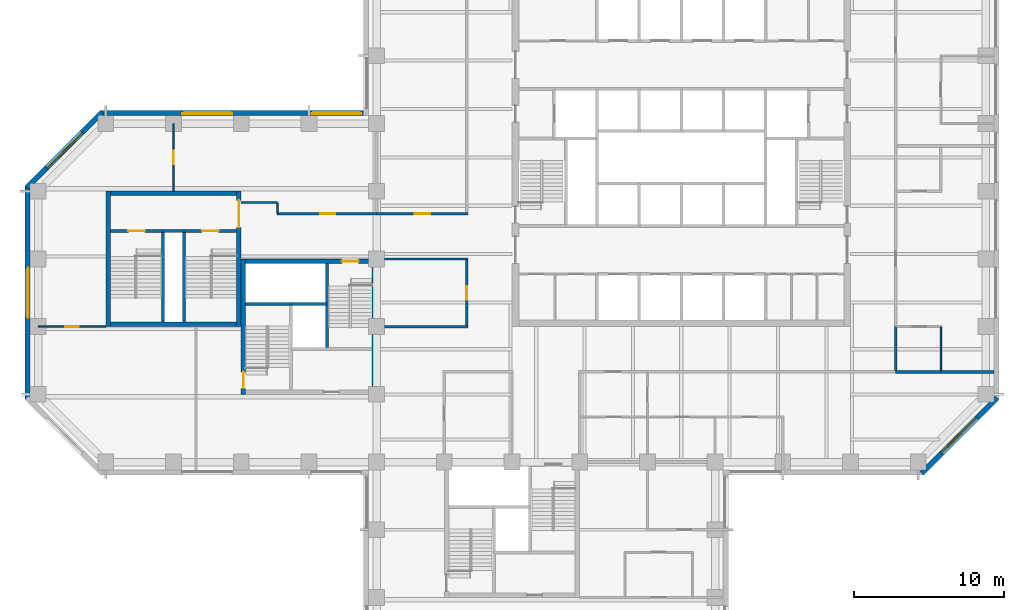
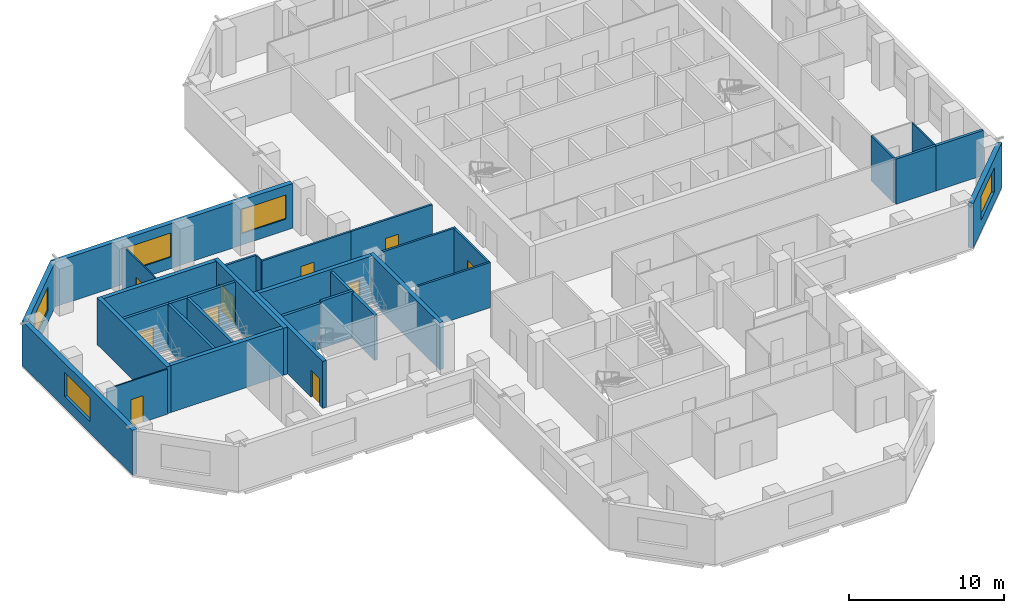
# One storey, part 5 of 11: 32 walls, 10 doors, 5 windows, 15 openings.
"""IFC4 building model written with IfcOpenShell, lengths in metres."""

from ifc_helpers import new_model, si_unit, direction, frame, frame_2d, origin, place, context, subcontext, project, spatial, rectangle, extrude, material, layer, layer_set, constituent, constituent_set, type_object, element, fill, save


model = new_model("IFC4")

# Units and contexts
model_context = context("Model", 3, precision=1e-05, world=origin(), true_north=direction((0.0, 1.0)))
body_context = subcontext(model_context, "Body", "Model", "MODEL_VIEW")
ifc_project = project(units=[si_unit("LENGTHUNIT", "METRE"), si_unit("AREAUNIT", "SQUARE_METRE"), si_unit("VOLUMEUNIT", "CUBIC_METRE"), si_unit("PLANEANGLEUNIT", "RADIAN"), si_unit("MASSUNIT", "GRAM", prefix="KILO")], contexts=[model_context])

# Site, building, storey
site_placement = place(None, origin())
site = spatial("IfcSite", under=ifc_project, at=site_placement, CompositionType="ELEMENT")
building_placement = place(site_placement, origin())
building = spatial("IfcBuilding", under=site, at=building_placement, Name="Quoin Convention Tower", CompositionType="ELEMENT")
storey_placement = place(building_placement, frame((0.0, 0.0, 93.699951171875)))
storey = spatial("IfcBuildingStorey", under=building, at=storey_placement, Name="L24", CompositionType="ELEMENT", Elevation=93.699951171875)

# Wall, opening, window
ifc_material_1 = material(Name="Brick masonry", Category="masonry")
ifc_layer_1 = layer(ifc_material_1, 0.35009765625)
ifc_layer_set_1 = layer_set([ifc_layer_1], Name="Brick masonry")
wall_type_1 = type_object("IfcWallType", Name="Brick facade wall", PredefinedType="STANDARD", material=ifc_layer_set_1)
wall_1_placement = place(storey_placement, frame((72.23876953125, 39.748779296875, 0.0), z_axis=(0.0, 0.0, 1.0), x_axis=(0.707106781187, 0.707106781187, 0.0)))
wall_1 = element("IfcWall", 1, at=wall_1_placement, inside=storey, type_object=wall_type_1, Name="fw-L24-72000_40500", PredefinedType="STANDARD", context=body_context, shape_type="SweptSolid", body=[
    extrude(rectangle(XDim=7.088623046875, YDim=0.35009765625, at=frame_2d((3.54443359375, 0.0))), origin(), (0.0, 0.0, 1.0), 3.525146484375),
])
opening_1_placement = place(wall_1_placement, frame((1.894287109375, 0.0, 0.89990234375)))
opening_1 = element("IfcOpeningElement", 2, at=opening_1_placement, cuts=wall_1, Name="Opening W-02", PredefinedType="OPENING", context=body_context, shape_type="SweptSolid", body=[
    extrude(rectangle(XDim=3.300048828125, YDim=1.89990234375, at=frame_2d((1.64990234375, 0.949951171875))), frame((0.0, 0.18505859375, 0.0), z_axis=(0.0, -1.0, 0.0), x_axis=(1.0, 0.0, 0.0)), (0.0, 0.0, 1.0), 0.3701171875),
])
ifc_material_2 = material(Name="Aluminium", Category="aluminium")
ifc_constituent_1 = constituent(ifc_material_2, Name="Frame")
ifc_material_3 = material(Name="Insulated glass", Category="glass")
ifc_constituent_2 = constituent(ifc_material_3, Name="Glazing")
ifc_constituent_set = constituent_set(constituents=[ifc_constituent_1, ifc_constituent_2], Name="Aluminium")
window_type = type_object("IfcWindowType", Name="Office window", PartitioningType="DOUBLE_PANEL_VERTICAL", PredefinedType="WINDOW", material=ifc_constituent_set)
window_1_placement = place(opening_1_placement, origin())
window_1 = element("IfcWindow", 3, at=window_1_placement, inside=storey, type_object=window_type, Name="win-L24-74745_42255", OverallHeight=1.89990234375, OverallWidth=3.300048828125, PartitioningType="SINGLE_PANEL", PredefinedType="WINDOW", context=body_context, shape_type="SweptSolid", body=[
    extrude(rectangle(XDim=3.300048828125, YDim=1.89990234375, at=frame_2d((1.64990234375, 0.949951171875))), frame((0.0, 0.0849609375, 0.0), z_axis=(0.0, -1.0, 0.0), x_axis=(1.0, 0.0, 0.0)), (0.0, 0.0, 1.0), 0.06005859375),
])
fill(opening_1, window_1)

# Wall, openings, windows
wall_2_placement = place(storey_placement, frame((35.47509765625, 63.699951171875, 0.0), z_axis=(0.0, 0.0, 1.0), x_axis=(-1.0, 0.0, 0.0)))
wall_2 = element("IfcWall", 4, at=wall_2_placement, inside=storey, type_object=wall_type_1, Name="fw-L24-36000_63000", PredefinedType="STANDARD", context=body_context, shape_type="SweptSolid", body=[
    extrude(rectangle(XDim=17.83740234375, YDim=0.35009765625, at=frame_2d((8.918701171875, 0.0))), origin(), (0.0, 0.0, 1.0), 3.525146484375),
])
opening_2_placement = place(wall_2_placement, frame((0.5, 0.0, 0.89990234375)))
opening_2 = element("IfcOpeningElement", 5, at=opening_2_placement, cuts=wall_2, Name="Opening W-02", PredefinedType="OPENING", context=body_context, shape_type="SweptSolid", body=[
    extrude(rectangle(XDim=3.300048828125, YDim=1.89990234375, at=frame_2d((1.64990234375, 0.949951171875))), frame((0.0, 0.18505859375, 0.0), z_axis=(0.0, -1.0, 0.0), x_axis=(1.0, 0.0, 0.0)), (0.0, 0.0, 1.0), 0.3701171875),
])
opening_3_placement = place(wall_2_placement, frame((9.074951171875, 0.0, 0.89990234375)))
opening_3 = element("IfcOpeningElement", 6, at=opening_3_placement, cuts=wall_2, Name="Opening W-02", PredefinedType="OPENING", context=body_context, shape_type="SweptSolid", body=[
    extrude(rectangle(XDim=3.300048828125, YDim=1.89990234375, at=frame_2d((1.64990234375, 0.949951171875))), frame((0.0, 0.18505859375, 0.0), z_axis=(0.0, -1.0, 0.0), x_axis=(1.0, 0.0, 0.0)), (0.0, 0.0, 1.0), 0.3701171875),
])
window_2_placement = place(opening_2_placement, origin())
window_2 = element("IfcWindow", 7, at=window_2_placement, inside=storey, type_object=window_type, Name="win-L24-33750_63700", OverallHeight=1.89990234375, OverallWidth=3.300048828125, PartitioningType="SINGLE_PANEL", PredefinedType="WINDOW", context=body_context, shape_type="SweptSolid", body=[
    extrude(rectangle(XDim=3.300048828125, YDim=1.89990234375, at=frame_2d((1.64990234375, 0.949951171875))), frame((0.0, 0.0849609375, 0.0), z_axis=(0.0, -1.0, 0.0), x_axis=(1.0, 0.0, 0.0)), (0.0, 0.0, 1.0), 0.06005859375),
])
fill(opening_2, window_2)
window_3_placement = place(opening_3_placement, origin())
window_3 = element("IfcWindow", 8, at=window_3_placement, inside=storey, type_object=window_type, Name="win-L24-24750_63700", OverallHeight=1.89990234375, OverallWidth=3.300048828125, PartitioningType="SINGLE_PANEL", PredefinedType="WINDOW", context=body_context, shape_type="SweptSolid", body=[
    extrude(rectangle(XDim=3.300048828125, YDim=1.89990234375, at=frame_2d((1.64990234375, 0.949951171875))), frame((0.0, 0.0849609375, 0.0), z_axis=(0.0, -1.0, 0.0), x_axis=(1.0, 0.0, 0.0)), (0.0, 0.0, 1.0), 0.06005859375),
])
fill(opening_3, window_3)

# Wall, opening, window
wall_3_placement = place(storey_placement, frame((17.76123046875, 63.751220703125, 0.0), z_axis=(0.0, 0.0, 1.0), x_axis=(-0.707106781187, -0.707106781187, 0.0)))
wall_3 = element("IfcWall", 9, at=wall_3_placement, inside=storey, type_object=wall_type_1, Name="fw-L24-18000_63000", PredefinedType="STANDARD", context=body_context, shape_type="SweptSolid", body=[
    extrude(rectangle(XDim=7.088623046875, YDim=0.35009765625, at=frame_2d((3.54443359375, 0.0))), origin(), (0.0, 0.0, 1.0), 3.525146484375),
])
opening_4_placement = place(wall_3_placement, frame((1.894287109375, 0.0, 0.89990234375)))
opening_4 = element("IfcOpeningElement", 10, at=opening_4_placement, cuts=wall_3, Name="Opening W-02", PredefinedType="OPENING", context=body_context, shape_type="SweptSolid", body=[
    extrude(rectangle(XDim=3.300048828125, YDim=1.89990234375, at=frame_2d((1.64990234375, 0.949951171875))), frame((0.0, 0.18505859375, 0.0), z_axis=(0.0, -1.0, 0.0), x_axis=(1.0, 0.0, 0.0)), (0.0, 0.0, 1.0), 0.3701171875),
])
window_4_placement = place(opening_4_placement, origin())
window_4 = element("IfcWindow", 11, at=window_4_placement, inside=storey, type_object=window_type, Name="win-L24-15255_61245", OverallHeight=1.89990234375, OverallWidth=3.300048828125, PartitioningType="SINGLE_PANEL", PredefinedType="WINDOW", context=body_context, shape_type="SweptSolid", body=[
    extrude(rectangle(XDim=3.300048828125, YDim=1.89990234375, at=frame_2d((1.64990234375, 0.949951171875))), frame((0.0, 0.0849609375, 0.0), z_axis=(0.0, -1.0, 0.0), x_axis=(1.0, 0.0, 0.0)), (0.0, 0.0, 1.0), 0.06005859375),
])
fill(opening_4, window_4)

wall_4_placement = place(storey_placement, frame((12.800048828125, 58.8623046875, 0.0), z_axis=(0.0, 0.0, 1.0), x_axis=(0.0, -1.0, 0.0)))
wall_4 = element("IfcWall", 12, at=wall_4_placement, inside=storey, type_object=wall_type_1, Name="fw-L24-13500_58500", PredefinedType="STANDARD", context=body_context, shape_type="SweptSolid", body=[
    extrude(rectangle(XDim=14.224609375, YDim=0.35009765625, at=frame_2d((7.1123046875, 0.0))), origin(), (0.0, 0.0, 1.0), 3.525146484375),
])
opening_5_placement = place(wall_4_placement, frame((5.46240234375, 0.0, 0.89990234375)))
opening_5 = element("IfcOpeningElement", 13, at=opening_5_placement, cuts=wall_4, Name="Opening W-02", PredefinedType="OPENING", context=body_context, shape_type="SweptSolid", body=[
    extrude(rectangle(XDim=3.300048828125, YDim=1.89990234375, at=frame_2d((1.64990234375, 0.949951171875))), frame((0.0, 0.18505859375, 0.0), z_axis=(0.0, -1.0, 0.0), x_axis=(1.0, 0.0, 0.0)), (0.0, 0.0, 1.0), 0.3701171875),
])
window_5_placement = place(opening_5_placement, origin())
window_5 = element("IfcWindow", 14, at=window_5_placement, inside=storey, type_object=window_type, Name="win-L24-12800_51750", OverallHeight=1.89990234375, OverallWidth=3.300048828125, PartitioningType="SINGLE_PANEL", PredefinedType="WINDOW", context=body_context, shape_type="SweptSolid", body=[
    extrude(rectangle(XDim=3.300048828125, YDim=1.89990234375, at=frame_2d((1.64990234375, 0.949951171875))), frame((0.0, 0.0849609375, 0.0), z_axis=(0.0, -1.0, 0.0), x_axis=(1.0, 0.0, 0.0)), (0.0, 0.0, 1.0), 0.06005859375),
])
fill(opening_5, window_5)

# Walls
ifc_material_4 = material(Name="Concrete C50", Category="concrete")
ifc_layer_2 = layer(ifc_material_4, 0.199951171875)
ifc_layer_set_2 = layer_set([ifc_layer_2], Name="Concrete C50")
wall_type_2 = type_object("IfcWallType", Name="Core shaft wall", PredefinedType="SOLIDWALL", material=ifc_layer_set_2)
wall_5_placement = place(storey_placement, frame((27.300048828125, 51.0, 0.0), z_axis=(0.0, 0.0, 1.0), x_axis=(1.0, 0.0, 0.0)))
element("IfcWall", 15, at=wall_5_placement, inside=storey, type_object=wall_type_2, Name="cr-P2-L24-h6000_300", PredefinedType="SOLIDWALL", context=body_context, shape_type="SweptSolid", body=[
    extrude(rectangle(XDim=3.0, YDim=0.199951171875, at=frame_2d((1.5, 0.0))), origin(), (0.0, 0.0, 1.0), 3.550048828125),
])
wall_6_placement = place(storey_placement, frame((32.699951171875, 48.0, 0.0), z_axis=(0.0, 0.0, 1.0), x_axis=(0.0, 1.0, 0.0)))
element("IfcWall", 16, at=wall_6_placement, inside=storey, type_object=wall_type_2, Name="cr-P2-L24-v5700_3000", PredefinedType="SOLIDWALL", context=body_context, shape_type="SweptSolid", body=[
    extrude(rectangle(XDim=5.699951171875, YDim=0.199951171875, at=frame_2d((2.85009765625, 0.0))), origin(), (0.0, 0.0, 1.0), 3.550048828125),
])
wall_7_placement = place(storey_placement, frame((21.800048828125, 55.85009765625, 0.0), z_axis=(0.0, 0.0, 1.0), x_axis=(1.0, 0.0, 0.0)))
element("IfcWall", 17, at=wall_7_placement, inside=storey, type_object=wall_type_2, Name="cr-P6-L24-h6350_3800", PredefinedType="SOLIDWALL", context=body_context, shape_type="SweptSolid", body=[
    extrude(rectangle(XDim=1.39990234375, YDim=0.199951171875, at=frame_2d((0.699951171875, 0.0))), origin(), (0.0, 0.0, 1.0), 3.550048828125),
])

# Wall, opening, door
wall_8_placement = place(storey_placement, frame((18.300048828125, 55.85009765625, 0.0), z_axis=(0.0, 0.0, 1.0), x_axis=(1.0, 0.0, 0.0)))
wall_8 = element("IfcWall", 18, at=wall_8_placement, inside=storey, type_object=wall_type_2, Name="cr-P6-L24-h6350_300", PredefinedType="SOLIDWALL", context=body_context, shape_type="SweptSolid", body=[
    extrude(rectangle(XDim=3.5, YDim=0.199951171875, at=frame_2d((1.75, 0.0))), origin(), (0.0, 0.0, 1.0), 3.550048828125),
])
opening_6_placement = place(wall_8_placement, frame((1.199951171875, 0.0, 0.0)))
opening_6 = element("IfcOpeningElement", 19, at=opening_6_placement, cuts=wall_8, Name="Opening SD11", PredefinedType="OPENING", context=body_context, shape_type="SweptSolid", body=[
    extrude(rectangle(XDim=1.10009765625, YDim=2.10009765625, at=frame_2d((0.550048828125, 1.050048828125))), frame((0.0, 0.10986328125, 0.0), z_axis=(0.0, -1.0, 0.0), x_axis=(1.0, 0.0, 0.0)), (0.0, 0.0, 1.0), 0.219970703125),
])
ifc_material_5 = material(Name="Steel door leaf", Category="steel")
door_type_1 = type_object("IfcDoorType", Name="Stair door 1100 x 2100", OperationType="SINGLE_SWING_RIGHT", PredefinedType="DOOR", material=ifc_material_5)
door_1_placement = place(opening_6_placement, origin())
door_1 = element("IfcDoor", 20, at=door_1_placement, inside=storey, type_object=door_type_1, Name="cd-P6-L24-SA-R2-SD11", OperationType="SINGLE_SWING_RIGHT", OverallHeight=2.10009765625, OverallWidth=1.10009765625, PredefinedType="DOOR", context=body_context, shape_type="SweptSolid", body=[
    extrude(rectangle(XDim=1.10009765625, YDim=2.10009765625, at=frame_2d((0.550048828125, 1.050048828125))), frame((0.0, 0.02490234375, 0.0), z_axis=(0.0, -1.0, 0.0), x_axis=(1.0, 0.0, 0.0)), (0.0, 0.0, 1.0), 0.050048828125),
])
fill(opening_6, door_1)

wall_9_placement = place(storey_placement, frame((23.199951171875, 55.85009765625, 0.0), z_axis=(0.0, 0.0, 1.0), x_axis=(1.0, 0.0, 0.0)))
wall_9 = element("IfcWall", 21, at=wall_9_placement, inside=storey, type_object=wall_type_2, Name="cr-P6-L24-h6350_5200", PredefinedType="SOLIDWALL", context=body_context, shape_type="SweptSolid", body=[
    extrude(rectangle(XDim=3.5, YDim=0.199951171875, at=frame_2d((1.75, 0.0))), origin(), (0.0, 0.0, 1.0), 3.550048828125),
])
opening_7_placement = place(wall_9_placement, frame((1.199951171875, 0.0, 0.0)))
opening_7 = element("IfcOpeningElement", 22, at=opening_7_placement, cuts=wall_9, Name="Opening SD12", PredefinedType="OPENING", context=body_context, shape_type="SweptSolid", body=[
    extrude(rectangle(XDim=1.10009765625, YDim=2.10009765625, at=frame_2d((0.550048828125, 1.050048828125))), frame((0.0, 0.10986328125, 0.0), z_axis=(0.0, -1.0, 0.0), x_axis=(1.0, 0.0, 0.0)), (0.0, 0.0, 1.0), 0.219970703125),
])
door_2_placement = place(opening_7_placement, origin())
door_2 = element("IfcDoor", 23, at=door_2_placement, inside=storey, type_object=door_type_1, Name="cd-P6-L24-SB-R2-SD12", OperationType="SINGLE_SWING_RIGHT", OverallHeight=2.10009765625, OverallWidth=1.10009765625, PredefinedType="DOOR", context=body_context, shape_type="SweptSolid", body=[
    extrude(rectangle(XDim=1.10009765625, YDim=2.10009765625, at=frame_2d((0.550048828125, 1.050048828125))), frame((0.0, 0.02490234375, 0.0), z_axis=(0.0, -1.0, 0.0), x_axis=(1.0, 0.0, 0.0)), (0.0, 0.0, 1.0), 0.050048828125),
])
fill(opening_7, door_2)

# Walls
for number, where, z_axis, x_axis, name in (
    (24, (21.800048828125, 49.800048828125, 0.0), (0.0, 0.0, 1.0), (0.0, 1.0, 0.0), "cr-P6-L24-v3800_300"),
    (25, (23.199951171875, 49.800048828125, 0.0), (0.0, 0.0, 1.0), (0.0, 1.0, 0.0), "cr-P6-L24-v5200_300"),
):
    element("IfcWall", number, at=place(storey_placement, frame(where, z_axis=z_axis, x_axis=x_axis)), inside=storey, type_object=wall_type_2, Name=name, PredefinedType="SOLIDWALL", context=body_context, shape_type="SweptSolid", body=[
        extrude(rectangle(XDim=6.050048828125, YDim=0.199951171875, at=frame_2d((3.02490234375, 0.0))), origin(), (0.0, 0.0, 1.0), 3.550048828125),
    ])
ifc_layer_3 = layer(ifc_material_4, 0.199951171875)
ifc_layer_set_3 = layer_set([ifc_layer_3], Name="Concrete C50")
wall_type_3 = type_object("IfcWallType", Name="Core shaft wall to the floor level over", PredefinedType="SOLIDWALL", material=ifc_layer_set_3)
wall_10_placement = place(storey_placement, frame((30.300048828125, 51.0, 0.0), z_axis=(0.0, 0.0, 1.0), x_axis=(1.0, 0.0, 0.0)))
element("IfcWall", 26, at=wall_10_placement, inside=storey, type_object=wall_type_3, Name="cr-P2-L24-h6000_3300", PredefinedType="SOLIDWALL", context=body_context, shape_type="SweptSolid", body=[
    extrude(rectangle(XDim=2.39990234375, YDim=0.199951171875, at=frame_2d((1.199951171875, 0.0))), origin(), (0.0, 0.0, 1.0), 3.699951171875),
])
ifc_material_6 = material(Name="Plasterboard")
ifc_layer_4 = layer(ifc_material_6, 0.012451171875, Name="Finish")
ifc_material_7 = material(Name="Steel stud framing", Category="steel")
ifc_layer_5 = layer(ifc_material_7, 0.125, Name="Structure")
ifc_layer_6 = layer(ifc_material_6, 0.012451171875, Name="Finish")
ifc_layer_set_4 = layer_set([ifc_layer_4, ifc_layer_5, ifc_layer_6], Name="Steel stud framing")
wall_type_4 = type_object("IfcWallType", Name="Corridor wall 150", PredefinedType="PARTITIONING", material=ifc_layer_set_4)
for number, where, z_axis, x_axis, name in (
    (27, (36.52490234375, 49.5, 0.0), (0.0, 0.0, 1.0), (1.0, 0.0, 0.0), "pw-L24-028"),
    (28, (36.52490234375, 54.0, 0.0), (0.0, 0.0, 1.0), (1.0, 0.0, 0.0), "pw-L24-031"),
):
    element("IfcWall", number, at=place(storey_placement, frame(where, z_axis=z_axis, x_axis=x_axis)), inside=storey, type_object=wall_type_4, Name=name, PredefinedType="PARTITIONING", context=body_context, shape_type="SweptSolid", body=[
        extrude(rectangle(XDim=5.550048828125, YDim=0.14990234375, at=frame_2d((2.77490234375, 0.0))), origin(), (0.0, 0.0, 1.0), 3.550048828125),
    ])

# Wall, opening, door
wall_11_placement = place(storey_placement, frame((29.3798828125, 57.0, 0.0), z_axis=(0.0, 0.0, 1.0), x_axis=(1.0, 0.0, 0.0)))
wall_11 = element("IfcWall", 29, at=wall_11_placement, inside=storey, type_object=wall_type_4, Name="pw-L24-032", PredefinedType="PARTITIONING", context=body_context, shape_type="SweptSolid", body=[
    extrude(rectangle(XDim=6.6201171875, YDim=0.14990234375, at=frame_2d((3.31005859375, 0.0))), origin(), (0.0, 0.0, 1.0), 3.550048828125),
])
opening_8_placement = place(wall_11_placement, frame((2.8798828125, 0.0, 0.0)))
opening_8 = element("IfcOpeningElement", 30, at=opening_8_placement, cuts=wall_11, Name="Opening DOL3-13", PredefinedType="OPENING", context=body_context, shape_type="SweptSolid", body=[
    extrude(rectangle(XDim=1.0, YDim=2.10009765625, at=frame_2d((0.5, 1.050048828125))), frame((0.0, 0.0849609375, 0.0), z_axis=(0.0, -1.0, 0.0), x_axis=(1.0, 0.0, 0.0)), (0.0, 0.0, 1.0), 0.169921875),
])
door_type_2 = type_object("IfcDoorType", Name="Tenancy entrance door 1000 x 2100", OperationType="DOUBLE_DOOR_SINGLE_SWING", PredefinedType="DOOR", material=ifc_material_5)
door_3_placement = place(opening_8_placement, origin())
door_3 = element("IfcDoor", 31, at=door_3_placement, inside=storey, type_object=door_type_2, Name="dr-L24-w01", OperationType="DOUBLE_DOOR_SINGLE_SWING", OverallHeight=2.10009765625, OverallWidth=1.0, PredefinedType="DOOR", context=body_context, shape_type="SweptSolid", body=[
    extrude(rectangle(XDim=1.0, YDim=2.10009765625, at=frame_2d((0.5, 1.050048828125))), frame((0.0, 0.02490234375, 0.0), z_axis=(0.0, -1.0, 0.0), x_axis=(1.0, 0.0, 0.0)), (0.0, 0.0, 1.0), 0.050048828125),
])
fill(opening_8, door_3)

wall_12_placement = place(storey_placement, frame((36.0, 57.0, 0.0), z_axis=(0.0, 0.0, 1.0), x_axis=(1.0, 0.0, 0.0)))
wall_12 = element("IfcWall", 32, at=wall_12_placement, inside=storey, type_object=wall_type_4, Name="pw-L24-033", PredefinedType="PARTITIONING", context=body_context, shape_type="SweptSolid", body=[
    extrude(rectangle(XDim=6.074951171875, YDim=0.14990234375, at=frame_2d((3.03759765625, 0.0))), origin(), (0.0, 0.0, 1.0), 3.550048828125),
])
opening_9_placement = place(wall_12_placement, frame((2.550048828125, 0.0, 0.0)))
opening_9 = element("IfcOpeningElement", 33, at=opening_9_placement, cuts=wall_12, Name="Opening DOL3-14", PredefinedType="OPENING", context=body_context, shape_type="SweptSolid", body=[
    extrude(rectangle(XDim=1.0, YDim=2.10009765625, at=frame_2d((0.5, 1.050048828125))), frame((0.0, 0.0849609375, 0.0), z_axis=(0.0, -1.0, 0.0), x_axis=(1.0, 0.0, 0.0)), (0.0, 0.0, 1.0), 0.169921875),
])
door_4_placement = place(opening_9_placement, origin())
door_4 = element("IfcDoor", 34, at=door_4_placement, inside=storey, type_object=door_type_2, Name="dr-L24-30", OperationType="DOUBLE_DOOR_SINGLE_SWING", OverallHeight=2.10009765625, OverallWidth=1.0, PredefinedType="DOOR", context=body_context, shape_type="SweptSolid", body=[
    extrude(rectangle(XDim=1.0, YDim=2.10009765625, at=frame_2d((0.5, 1.050048828125))), frame((0.0, 0.02490234375, 0.0), z_axis=(0.0, -1.0, 0.0), x_axis=(1.0, 0.0, 0.0)), (0.0, 0.0, 1.0), 0.050048828125),
])
fill(opening_9, door_4)

# Wall
wall_13_placement = place(storey_placement, frame((70.5, 46.60009765625, 0.0), z_axis=(0.0, 0.0, 1.0), x_axis=(0.0, 1.0, 0.0)))
element("IfcWall", 35, at=wall_13_placement, inside=storey, type_object=wall_type_4, Name="pw-L24-071", PredefinedType="PARTITIONING", context=body_context, shape_type="SweptSolid", body=[
    extrude(rectangle(XDim=2.89990234375, YDim=0.14990234375, at=frame_2d((1.449951171875, 0.0))), origin(), (0.0, 0.0, 1.0), 3.550048828125),
])

# Wall, opening, door
wall_14_placement = place(storey_placement, frame((42.0, 49.574951171875, 0.0), z_axis=(0.0, 0.0, 1.0), x_axis=(0.0, 1.0, 0.0)))
wall_14 = element("IfcWall", 36, at=wall_14_placement, inside=storey, type_object=wall_type_4, Name="pw-L24-074", PredefinedType="PARTITIONING", context=body_context, shape_type="SweptSolid", body=[
    extrude(rectangle(XDim=4.35009765625, YDim=0.14990234375, at=frame_2d((2.175048828125, 0.0))), origin(), (0.0, 0.0, 1.0), 3.550048828125),
])
opening_10_placement = place(wall_14_placement, frame((1.699951171875, 0.0, 0.0)))
opening_10 = element("IfcOpeningElement", 37, at=opening_10_placement, cuts=wall_14, Name="Opening DOL3-27", PredefinedType="OPENING", context=body_context, shape_type="SweptSolid", body=[
    extrude(rectangle(XDim=0.89990234375, YDim=2.10009765625, at=frame_2d((0.449951171875, 1.050048828125))), frame((0.0, 0.0849609375, 0.0), z_axis=(0.0, -1.0, 0.0), x_axis=(1.0, 0.0, 0.0)), (0.0, 0.0, 1.0), 0.169921875),
])
door_type_3 = type_object("IfcDoorType", Name="Office door 900 x 2100", OperationType="SINGLE_SWING_RIGHT", PredefinedType="DOOR", material=ifc_material_5)
door_5_placement = place(opening_10_placement, origin())
door_5 = element("IfcDoor", 38, at=door_5_placement, inside=storey, type_object=door_type_3, Name="dr-L24-01", OperationType="SINGLE_SWING_RIGHT", OverallHeight=2.10009765625, OverallWidth=0.89990234375, PredefinedType="DOOR", context=body_context, shape_type="SweptSolid", body=[
    extrude(rectangle(XDim=0.89990234375, YDim=2.10009765625, at=frame_2d((0.449951171875, 1.050048828125))), frame((0.0, 0.02490234375, 0.0), z_axis=(0.0, -1.0, 0.0), x_axis=(1.0, 0.0, 0.0)), (0.0, 0.0, 1.0), 0.050048828125),
])
fill(opening_10, door_5)

# Wall
wall_15_placement = place(storey_placement, frame((27.0, 57.75, 0.0), z_axis=(0.0, 0.0, 1.0), x_axis=(1.0, 0.0, 0.0)))
element("IfcWall", 39, at=wall_15_placement, inside=storey, type_object=wall_type_4, Name="pw-L24-w03", PredefinedType="PARTITIONING", context=body_context, shape_type="SweptSolid", body=[
    extrude(rectangle(XDim=2.39990234375, YDim=0.14990234375, at=frame_2d((1.199951171875, 0.0))), origin(), (0.0, 0.0, 1.0), 3.550048828125),
])

# Wall, opening, door
ifc_material_8 = material(Name="Concrete C65", Category="concrete")
ifc_layer_7 = layer(ifc_material_8, 0.300048828125)
ifc_layer_set_5 = layer_set([ifc_layer_7], Name="Concrete C65")
wall_type_5 = type_object("IfcWallType", Name="RC CORE WALL 300 C65", PredefinedType="SHEAR", material=ifc_layer_set_5)
wall_16_placement = place(storey_placement, frame((27.300048828125, 53.85009765625, 0.0), z_axis=(0.0, 0.0, 1.0), x_axis=(1.0, 0.0, 0.0)))
wall_16 = element("IfcWall", 40, at=wall_16_placement, inside=storey, type_object=wall_type_5, Name="cwl-P2-L24-N", PredefinedType="SHEAR", context=body_context, shape_type="SweptSolid", body=[
    extrude(rectangle(XDim=8.39990234375, YDim=0.300048828125, at=frame_2d((4.199951171875, 0.0))), origin(), (0.0, 0.0, 1.0), 3.699951171875),
])
opening_11_placement = place(wall_16_placement, frame((6.39990234375, 0.0, 0.0)))
opening_11 = element("IfcOpeningElement", 41, at=opening_11_placement, cuts=wall_16, Name="Opening SD4", PredefinedType="OPENING", context=body_context, shape_type="SweptSolid", body=[
    extrude(rectangle(XDim=1.10009765625, YDim=2.10009765625, at=frame_2d((0.550048828125, 1.050048828125))), frame((0.0, 0.159912109375, 0.0), z_axis=(0.0, -1.0, 0.0), x_axis=(1.0, 0.0, 0.0)), (0.0, 0.0, 1.0), 0.320068359375),
])
door_6_placement = place(opening_11_placement, frame((1.10009765625, 0.0, 0.0), z_axis=(0.0, 0.0, 1.0), x_axis=(-1.0, 0.0, 0.0)))
door_6 = element("IfcDoor", 42, at=door_6_placement, inside=storey, type_object=door_type_1, Name="cd-P2-L24-SB-N", OperationType="SINGLE_SWING_LEFT", OverallHeight=2.10009765625, OverallWidth=1.10009765625, PredefinedType="DOOR", context=body_context, shape_type="SweptSolid", body=[
    extrude(rectangle(XDim=1.10009765625, YDim=2.10009765625, at=frame_2d((0.550048828125, 1.050048828125))), frame((0.0, 0.02490234375, 0.0), z_axis=(0.0, -1.0, 0.0), x_axis=(1.0, 0.0, 0.0)), (0.0, 0.0, 1.0), 0.050048828125),
])
fill(opening_11, door_6)

wall_17_placement = place(storey_placement, frame((27.14990234375, 45.0, 0.0), z_axis=(0.0, 0.0, 1.0), x_axis=(0.0, 1.0, 0.0)))
wall_17 = element("IfcWall", 43, at=wall_17_placement, inside=storey, type_object=wall_type_5, Name="cwl-P2-L24-W", PredefinedType="SHEAR", context=body_context, shape_type="SweptSolid", body=[
    extrude(rectangle(XDim=9.0, YDim=0.300048828125, at=frame_2d((4.5, 0.0))), origin(), (0.0, 0.0, 1.0), 3.699951171875),
])
opening_12_placement = place(wall_17_placement, frame((0.39990234375, 0.0, 0.0)))
opening_12 = element("IfcOpeningElement", 44, at=opening_12_placement, cuts=wall_17, Name="Opening SD3", PredefinedType="OPENING", context=body_context, shape_type="SweptSolid", body=[
    extrude(rectangle(XDim=1.10009765625, YDim=2.10009765625, at=frame_2d((0.550048828125, 1.050048828125))), frame((0.0, 0.159912109375, 0.0), z_axis=(0.0, -1.0, 0.0), x_axis=(1.0, 0.0, 0.0)), (0.0, 0.0, 1.0), 0.320068359375),
])
door_7_placement = place(opening_12_placement, frame((1.10009765625, 0.0, 0.0), z_axis=(0.0, 0.0, 1.0), x_axis=(-1.0, 0.0, 0.0)))
door_7 = element("IfcDoor", 45, at=door_7_placement, inside=storey, type_object=door_type_1, Name="cd-P2-L24-SA-W", OperationType="SINGLE_SWING_RIGHT", OverallHeight=2.10009765625, OverallWidth=1.10009765625, PredefinedType="DOOR", context=body_context, shape_type="SweptSolid", body=[
    extrude(rectangle(XDim=1.10009765625, YDim=2.10009765625, at=frame_2d((0.550048828125, 1.050048828125))), frame((0.0, 0.02490234375, 0.0), z_axis=(0.0, -1.0, 0.0), x_axis=(1.0, 0.0, 0.0)), (0.0, 0.0, 1.0), 0.050048828125),
])
fill(opening_12, door_7)

# Walls
wall_18_placement = place(storey_placement, frame((35.85009765625, 45.0, 0.0), z_axis=(0.0, 0.0, 1.0), x_axis=(0.0, 1.0, 0.0)))
element("IfcWall", 46, at=wall_18_placement, inside=storey, type_object=wall_type_5, Name="cwl-P2-L24-E", PredefinedType="SHEAR", context=body_context, shape_type="SweptSolid", body=[
    extrude(rectangle(XDim=9.0, YDim=0.300048828125, at=frame_2d((4.5, 0.0))), origin(), (0.0, 0.0, 1.0), 3.699951171875),
])
for number, where, z_axis, x_axis, name in (
    (47, (18.300048828125, 49.64990234375, 0.0), (0.0, 0.0, 1.0), (1.0, 0.0, 0.0), "cwl-P6-L24-S"),
    (48, (18.300048828125, 58.35009765625, 0.0), (0.0, 0.0, 1.0), (1.0, 0.0, 0.0), "cwl-P6-L24-N"),
):
    element("IfcWall", number, at=place(storey_placement, frame(where, z_axis=z_axis, x_axis=x_axis)), inside=storey, type_object=wall_type_5, Name=name, PredefinedType="SHEAR", context=body_context, shape_type="SweptSolid", body=[
        extrude(rectangle(XDim=8.39990234375, YDim=0.300048828125, at=frame_2d((4.199951171875, 0.0))), origin(), (0.0, 0.0, 1.0), 3.699951171875),
    ])
wall_19_placement = place(storey_placement, frame((18.14990234375, 49.5, 0.0), z_axis=(0.0, 0.0, 1.0), x_axis=(0.0, 1.0, 0.0)))
element("IfcWall", 49, at=wall_19_placement, inside=storey, type_object=wall_type_5, Name="cwl-P6-L24-W", PredefinedType="SHEAR", context=body_context, shape_type="SweptSolid", body=[
    extrude(rectangle(XDim=9.0, YDim=0.300048828125, at=frame_2d((4.5, 0.0))), origin(), (0.0, 0.0, 1.0), 3.699951171875),
])

# Wall, opening, door
wall_20_placement = place(storey_placement, frame((26.85009765625, 49.5, 0.0), z_axis=(0.0, 0.0, 1.0), x_axis=(0.0, 1.0, 0.0)))
wall_20 = element("IfcWall", 50, at=wall_20_placement, inside=storey, type_object=wall_type_5, Name="cwl-P6-L24-E", PredefinedType="SHEAR", context=body_context, shape_type="SweptSolid", body=[
    extrude(rectangle(XDim=9.0, YDim=0.300048828125, at=frame_2d((4.5, 0.0))), origin(), (0.0, 0.0, 1.0), 3.699951171875),
])
opening_13_placement = place(wall_20_placement, frame((6.60009765625, 0.0, 0.0)))
opening_13 = element("IfcOpeningElement", 51, at=opening_13_placement, cuts=wall_20, Name="Opening DCV2-44", PredefinedType="OPENING", context=body_context, shape_type="SweptSolid", body=[
    extrude(rectangle(XDim=1.800048828125, YDim=2.10009765625, at=frame_2d((0.89990234375, 1.050048828125))), frame((0.0, 0.159912109375, 0.0), z_axis=(0.0, -1.0, 0.0), x_axis=(1.0, 0.0, 0.0)), (0.0, 0.0, 1.0), 0.320068359375),
])
door_type_4 = type_object("IfcDoorType", Name="Goods lobby door 1800 x 2100", OperationType="SINGLE_SWING_LEFT", PredefinedType="DOOR", material=ifc_material_5)
door_8_placement = place(opening_13_placement, origin())
door_8 = element("IfcDoor", 52, at=door_8_placement, inside=storey, type_object=door_type_4, Name="cd-P6-L24-R2-E", OperationType="SINGLE_SWING_LEFT", OverallHeight=2.10009765625, OverallWidth=1.800048828125, PredefinedType="DOOR", context=body_context, shape_type="SweptSolid", body=[
    extrude(rectangle(XDim=1.800048828125, YDim=2.10009765625, at=frame_2d((0.89990234375, 1.050048828125))), frame((0.0, 0.02490234375, 0.0), z_axis=(0.0, -1.0, 0.0), x_axis=(1.0, 0.0, 0.0)), (0.0, 0.0, 1.0), 0.050048828125),
])
fill(opening_13, door_8)

# Wall
ifc_layer_8 = layer(ifc_material_6, 0.012451171875, Name="Finish")
ifc_layer_9 = layer(ifc_material_7, 0.074951171875, Name="Structure")
ifc_layer_10 = layer(ifc_material_6, 0.012451171875, Name="Finish")
ifc_layer_set_6 = layer_set([ifc_layer_8, ifc_layer_9, ifc_layer_10], Name="Steel stud framing")
wall_type_6 = type_object("IfcWallType", Name="Stud partition 100", PredefinedType="PARTITIONING", material=ifc_layer_set_6)
wall_21_placement = place(storey_placement, frame((73.5, 46.60009765625, 0.0), z_axis=(0.0, 0.0, 1.0), x_axis=(0.0, 1.0, 0.0)))
element("IfcWall", 53, at=wall_21_placement, inside=storey, type_object=wall_type_6, Name="pw-L24-072", PredefinedType="PARTITIONING", context=body_context, shape_type="SweptSolid", body=[
    extrude(rectangle(XDim=2.849853515625, YDim=0.10009765625, at=frame_2d((1.4248046875, 0.0))), origin(), (0.0, 0.0, 1.0), 3.550048828125),
])

# Wall, opening, door
wall_22_placement = place(storey_placement, frame((22.5, 63.0, 0.0), z_axis=(0.0, 0.0, 1.0), x_axis=(0.0, -1.0, 0.0)))
wall_22 = element("IfcWall", 54, at=wall_22_placement, inside=storey, type_object=wall_type_6, Name="pw-L24-w01", PredefinedType="PARTITIONING", context=body_context, shape_type="SweptSolid", body=[
    extrude(rectangle(XDim=4.5, YDim=0.10009765625, at=frame_2d((2.25, 0.0))), origin(), (0.0, 0.0, 1.0), 3.550048828125),
])
opening_14_placement = place(wall_22_placement, frame((1.800048828125, 0.0, 0.0)))
opening_14 = element("IfcOpeningElement", 55, at=opening_14_placement, cuts=wall_22, Name="Opening DOL3-31", PredefinedType="OPENING", context=body_context, shape_type="SweptSolid", body=[
    extrude(rectangle(XDim=0.89990234375, YDim=2.10009765625, at=frame_2d((0.449951171875, 1.050048828125))), frame((0.0, 0.06005859375, 0.0), z_axis=(0.0, -1.0, 0.0), x_axis=(1.0, 0.0, 0.0)), (0.0, 0.0, 1.0), 0.1201171875),
])
door_9_placement = place(opening_14_placement, origin())
door_9 = element("IfcDoor", 56, at=door_9_placement, inside=storey, type_object=door_type_3, Name="dr-L24-w02", OperationType="SINGLE_SWING_LEFT", OverallHeight=2.10009765625, OverallWidth=0.89990234375, PredefinedType="DOOR", context=body_context, shape_type="SweptSolid", body=[
    extrude(rectangle(XDim=0.89990234375, YDim=2.10009765625, at=frame_2d((0.449951171875, 1.050048828125))), frame((0.0, 0.02490234375, 0.0), z_axis=(0.0, -1.0, 0.0), x_axis=(1.0, 0.0, 0.0)), (0.0, 0.0, 1.0), 0.050048828125),
])
fill(opening_14, door_9)

wall_23_placement = place(storey_placement, frame((13.5, 49.5, 0.0), z_axis=(0.0, 0.0, 1.0), x_axis=(1.0, 0.0, 0.0)))
wall_23 = element("IfcWall", 57, at=wall_23_placement, inside=storey, type_object=wall_type_6, Name="pw-L24-w02", PredefinedType="PARTITIONING", context=body_context, shape_type="SweptSolid", body=[
    extrude(rectangle(XDim=4.5, YDim=0.10009765625, at=frame_2d((2.25, 0.0))), origin(), (0.0, 0.0, 1.0), 3.550048828125),
])
opening_15_placement = place(wall_23_placement, frame((1.800048828125, 0.0, 0.0)))
opening_15 = element("IfcOpeningElement", 58, at=opening_15_placement, cuts=wall_23, Name="Opening DOL3-32", PredefinedType="OPENING", context=body_context, shape_type="SweptSolid", body=[
    extrude(rectangle(XDim=0.89990234375, YDim=2.10009765625, at=frame_2d((0.449951171875, 1.050048828125))), frame((0.0, 0.06005859375, 0.0), z_axis=(0.0, -1.0, 0.0), x_axis=(1.0, 0.0, 0.0)), (0.0, 0.0, 1.0), 0.1201171875),
])
door_10_placement = place(opening_15_placement, frame((0.89990234375, 0.0, 0.0), z_axis=(0.0, 0.0, 1.0), x_axis=(-1.0, 0.0, 0.0)))
door_10 = element("IfcDoor", 59, at=door_10_placement, inside=storey, type_object=door_type_3, Name="dr-L24-w03", OperationType="SINGLE_SWING_LEFT", OverallHeight=2.10009765625, OverallWidth=0.89990234375, PredefinedType="DOOR", context=body_context, shape_type="SweptSolid", body=[
    extrude(rectangle(XDim=0.89990234375, YDim=2.10009765625, at=frame_2d((0.449951171875, 1.050048828125))), frame((0.0, 0.02490234375, 0.0), z_axis=(0.0, -1.0, 0.0), x_axis=(1.0, 0.0, 0.0)), (0.0, 0.0, 1.0), 0.050048828125),
])
fill(opening_15, door_10)

# Walls
wall_24_placement = place(storey_placement, frame((29.39990234375, 57.715087890625, 0.0), z_axis=(0.0, 0.0, 1.0), x_axis=(0.0, -1.0, 0.0)))
element("IfcWall", 60, at=wall_24_placement, inside=storey, type_object=wall_type_6, Name="pw-L24-w04", PredefinedType="PARTITIONING", context=body_context, shape_type="SweptSolid", body=[
    extrude(rectangle(XDim=0.68017578125, YDim=0.10009765625, at=frame_2d((0.340087890625, 0.0))), origin(), (0.0, 0.0, 1.0), 3.550048828125),
])
ifc_layer_11 = layer(ifc_material_6, 0.012451171875, Name="Finish")
ifc_layer_12 = layer(ifc_material_7, 0.175048828125, Name="Structure")
ifc_layer_13 = layer(ifc_material_6, 0.012451171875, Name="Finish")
ifc_layer_set_7 = layer_set([ifc_layer_11, ifc_layer_12, ifc_layer_13], Name="Steel stud framing")
wall_type_7 = type_object("IfcWallType", Name="Tenancy demising wall 200", PredefinedType="PARTITIONING", material=ifc_layer_set_7)
wall_25_placement = place(storey_placement, frame((70.5, 46.5, 0.0), z_axis=(0.0, 0.0, 1.0), x_axis=(1.0, 0.0, 0.0)))
element("IfcWall", 61, at=wall_25_placement, inside=storey, type_object=wall_type_7, Name="pw-L24-026", PredefinedType="PARTITIONING", context=body_context, shape_type="SweptSolid", body=[
    extrude(rectangle(XDim=3.0, YDim=0.199951171875, at=frame_2d((1.5, 0.0))), origin(), (0.0, 0.0, 1.0), 3.550048828125),
])
wall_26_placement = place(storey_placement, frame((73.5, 46.5, 0.0), z_axis=(0.0, 0.0, 1.0), x_axis=(1.0, 0.0, 0.0)))
element("IfcWall", 62, at=wall_26_placement, inside=storey, type_object=wall_type_7, Name="pw-L24-027", PredefinedType="PARTITIONING", context=body_context, shape_type="SweptSolid", body=[
    extrude(rectangle(XDim=3.52490234375, YDim=0.199951171875, at=frame_2d((1.762451171875, 0.0))), origin(), (0.0, 0.0, 1.0), 3.550048828125),
])

save(model, "model.ifc")
